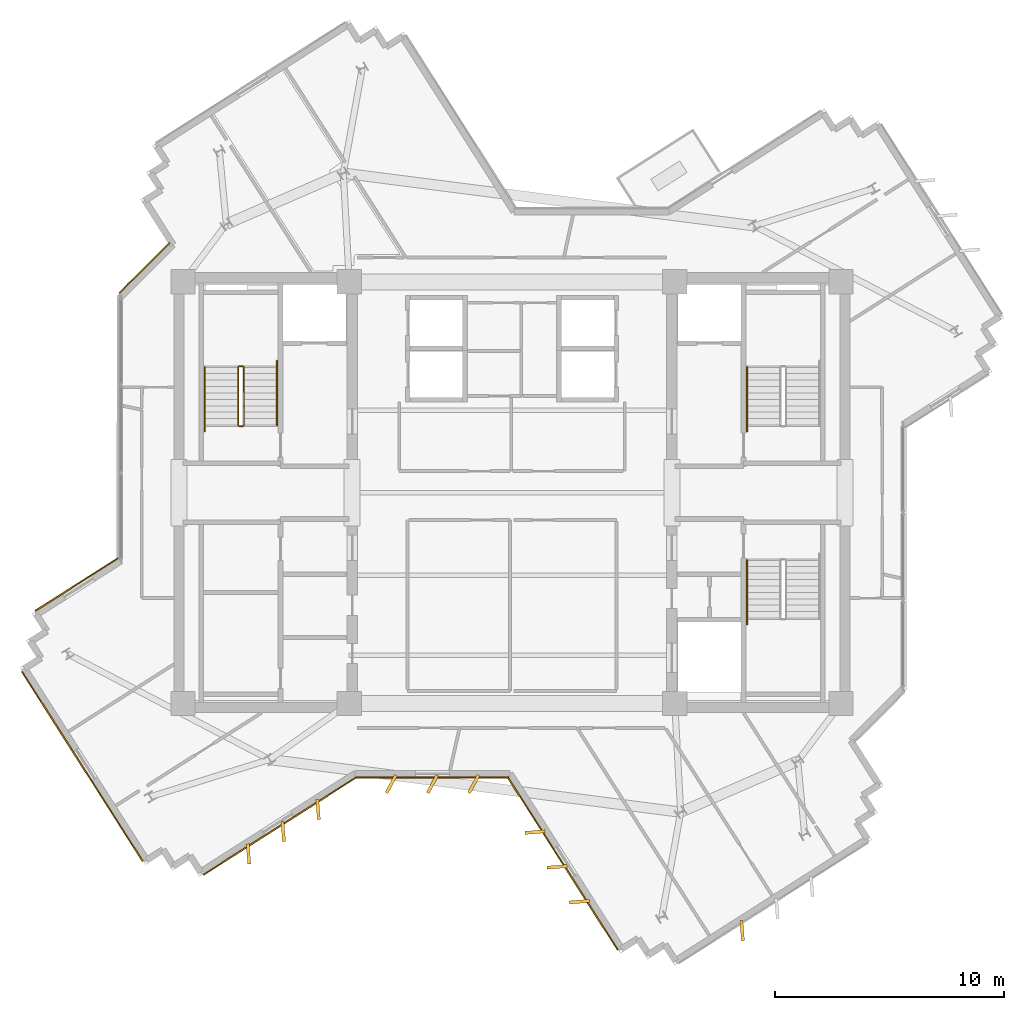
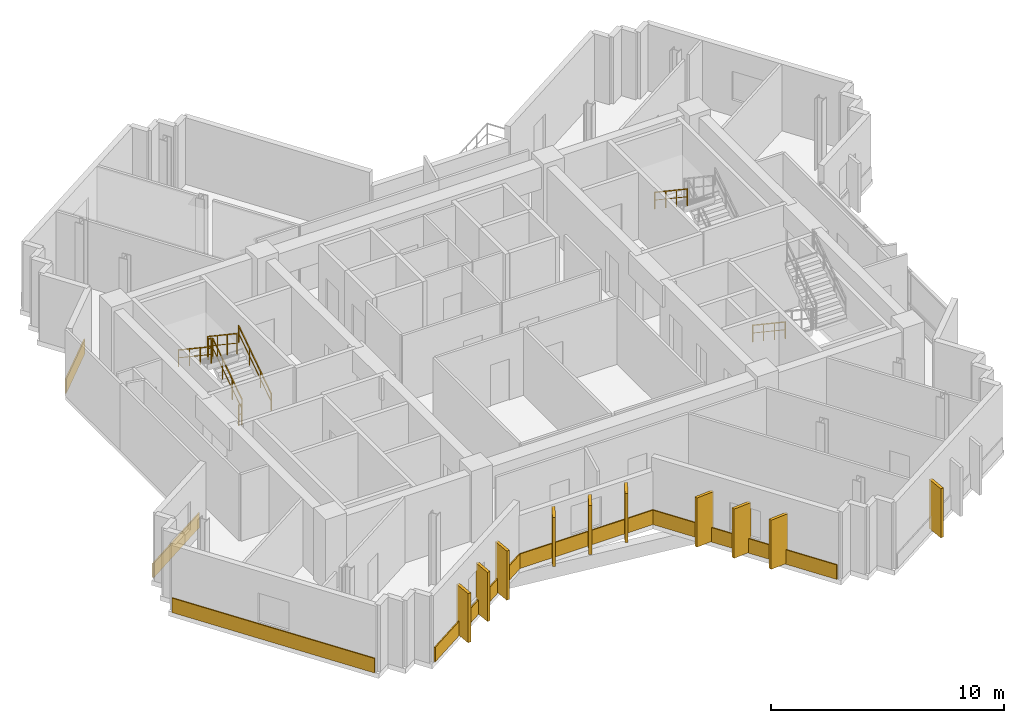
# One storey, part 10 of 12: 16 coverings, 8 railings.
"""IFC4 building model written with IfcOpenShell, lengths in metres."""

import ifcopenshell
import ifcopenshell.guid

model = None  # the IFC model being written
_history = None  # IfcOwnerHistory: only IFC2X3 demands one
_inside = {}  # id of a spatial element -> (the spatial element, [elements in it])
_under = {}  # id of a project, library or spatial element -> (it, [spatial elements below it])
_declared = {}  # id of a project -> (the project, [libraries it declares])
_typed = {}  # id of a type object -> (the type object, [elements of that type])
_made_of = {}  # id of a material, layer set ... -> (it, [elements and type objects made of it])


def new_model(schema):
    """Start an empty IFC model of exactly this schema.

    Asked for "IFC4X3", IfcOpenShell would pick the latest addendum, in which some entities
    have other attributes; the version numbers below select the first issue.
    IFC2X3 requires an IfcOwnerHistory on every rooted entity: one is made here for all.
    """
    global model, _history
    if schema == "IFC4X3":
        model = ifcopenshell.file(schema_version=(4, 3, 0, 0))
    else:
        model = ifcopenshell.file(schema=schema)
    _inside.clear()
    _under.clear()
    _declared.clear()
    _typed.clear()
    _made_of.clear()
    _history = None
    if model.schema == "IFC2X3":
        org = make("IfcOrganization", Name="unknown")
        user = make(
            "IfcPersonAndOrganization",
            ThePerson=make("IfcPerson", FamilyName="unknown"),
            TheOrganization=org,
        )
        app = make(
            "IfcApplication",
            ApplicationDeveloper=org,
            Version="unknown",
            ApplicationFullName="unknown",
            ApplicationIdentifier="unknown",
        )
        _history = make(
            "IfcOwnerHistory",
            OwningUser=user,
            OwningApplication=app,
            ChangeAction="ADDED",
            CreationDate=0,
        )
    return model


def make(cls, **values):
    """One entity of the class cls with the attributes given. An attribute that is None is left unset."""
    return model.create_entity(
        cls, **{name: value for name, value in values.items() if value is not None}
    )


def rooted(cls, **values):
    """An entity with a GlobalId (a new one), such as an element, a storey or a relation."""
    return make(cls, GlobalId=ifcopenshell.guid.new(), OwnerHistory=_history, **values)


def si_unit(unit_type, name, prefix=None):
    """IfcSIUnit, for example si_unit("LENGTHUNIT", "METRE", prefix="MILLI")."""
    return make("IfcSIUnit", UnitType=unit_type, Prefix=prefix, Name=name)


def assignment(units):
    """IfcUnitAssignment: the units of a project."""
    return None if units is None else make("IfcUnitAssignment", Units=units)


def point(xyz):
    """IfcCartesianPoint."""
    return None if xyz is None else make("IfcCartesianPoint", Coordinates=xyz)


def direction(xyz):
    """IfcDirection."""
    return None if xyz is None else make("IfcDirection", DirectionRatios=xyz)


def frame(location, z_axis=None, x_axis=None):
    """IfcAxis2Placement3D, a coordinate frame: its origin and axes. An axis left out is left unset."""
    return make(
        "IfcAxis2Placement3D",
        Location=point(location),
        Axis=direction(z_axis),
        RefDirection=direction(x_axis),
    )


def frame_2d(location, x_axis=None):
    """IfcAxis2Placement2D, a coordinate frame in the plane: its origin and x axis."""
    return make(
        "IfcAxis2Placement2D", Location=point(location), RefDirection=direction(x_axis)
    )


def origin():
    """The frame at (0, 0, 0) with its axes left unset."""
    return frame((0.0, 0.0, 0.0))


def origin_2d():
    """The frame at (0, 0) in the plane with its x axis left unset."""
    return frame_2d((0.0, 0.0))


def place(relative_to, where):
    """IfcLocalPlacement: puts the frame where relative to a parent placement (None: the world)."""
    return make(
        "IfcLocalPlacement", PlacementRelTo=relative_to, RelativePlacement=where
    )


def context(
    kind, dimensions, precision=None, world=None, true_north=None, identifier=None
):
    """IfcGeometricRepresentationContext, for example the 3D "Model" context."""
    return make(
        "IfcGeometricRepresentationContext",
        ContextIdentifier=identifier,
        ContextType=kind,
        CoordinateSpaceDimension=dimensions,
        Precision=precision,
        WorldCoordinateSystem=world,
        TrueNorth=true_north,
    )


def subcontext(parent, identifier, kind, view, scale=None):
    """IfcGeometricRepresentationSubContext, for example "Body" below "Model"."""
    return make(
        "IfcGeometricRepresentationSubContext",
        ContextIdentifier=identifier,
        ContextType=kind,
        ParentContext=parent,
        TargetScale=scale,
        TargetView=view,
    )


def project(units=None, contexts=None):
    """IfcProject with its units and contexts."""
    return rooted(
        "IfcProject",
        Name="project",
        RepresentationContexts=contexts,
        UnitsInContext=assignment(units),
    )


def spatial(cls, under=None, at=None, **own):
    """A site, building, storey or space (cls), placed at a placement, below another one or the project."""
    s = rooted(cls, ObjectPlacement=at, **own)
    if under is not None:
        _under.setdefault(under.id(), (under, []))[1].append(s)
    return s


def profile(cls, at=None, kind="AREA", **sizes):
    """A parametric profile (cls). Its sizes go by their IFC names, for example OverallWidth=200.0."""
    return make(cls, ProfileType=kind, Position=at, **sizes)


def rectangle(**sizes):
    """IfcRectangleProfileDef."""
    return profile("IfcRectangleProfileDef", **sizes)


def extrude(swept, where, along, depth):
    """IfcExtrudedAreaSolid: the profile swept, set in the frame where, extruded along a direction by depth."""
    return make(
        "IfcExtrudedAreaSolid",
        SweptArea=swept,
        Position=where,
        ExtrudedDirection=direction(along),
        Depth=depth,
    )


def shape(context_of_items, identifier, shape_type, items):
    """IfcShapeRepresentation: the items that make up one representation, for example the "Body"."""
    return make(
        "IfcShapeRepresentation",
        ContextOfItems=context_of_items,
        RepresentationIdentifier=identifier,
        RepresentationType=shape_type,
        Items=items,
    )


def source(mapping_origin, context_of_items, identifier, shape_type, items):
    """IfcRepresentationMap: a shape defined once, which mapped items show again and again."""
    return make(
        "IfcRepresentationMap",
        MappingOrigin=mapping_origin,
        MappedRepresentation=shape(context_of_items, identifier, shape_type, items),
    )


def transform(
    local_origin,
    x_axis=None,
    y_axis=None,
    z_axis=None,
    scale=None,
    scale2=None,
    scale3=None,
    uniform=True,
):
    """IfcCartesianTransformationOperator3D, or its non-uniform kind. x_axis, y_axis, z_axis: its Axis1, 2, 3."""
    if uniform:
        return make(
            "IfcCartesianTransformationOperator3D",
            Axis1=direction(x_axis),
            Axis2=direction(y_axis),
            LocalOrigin=point(local_origin),
            Scale=scale,
            Axis3=direction(z_axis),
        )
    return make(
        "IfcCartesianTransformationOperator3DnonUniform",
        Axis1=direction(x_axis),
        Axis2=direction(y_axis),
        LocalOrigin=point(local_origin),
        Scale=scale,
        Axis3=direction(z_axis),
        Scale2=scale2,
        Scale3=scale3,
    )


def mapped(mapping_source, mapping_target):
    """IfcMappedItem: shows the shape of a source again, moved by a transform."""
    return make(
        "IfcMappedItem", MappingSource=mapping_source, MappingTarget=mapping_target
    )


def material(Name=None, Category=None):
    """IfcMaterial."""
    return make("IfcMaterial", Name=Name, Category=Category)


def layer(
    of_material, thickness, ventilated=None, Name=None, Category=None, Priority=None
):
    """IfcMaterialLayer: one layer of a wall or slab, of a material (None: an air gap)."""
    return make(
        "IfcMaterialLayer",
        Material=of_material,
        LayerThickness=thickness,
        IsVentilated=ventilated,
        Name=Name,
        Category=Category,
        Priority=Priority,
    )


def layer_set(layers, Name=None):
    """IfcMaterialLayerSet."""
    return make("IfcMaterialLayerSet", MaterialLayers=layers, LayerSetName=Name)


def made_of(thing, what):
    """Note that an element or type object is made of a material, layer set ...; save() writes the relation."""
    if what is not None:
        _made_of.setdefault(what.id(), (what, []))[1].append(thing)
    return thing


def type_object(cls, material=None, **own):
    """A type object (cls), such as IfcWallType, which elements share."""
    return made_of(rooted(cls, **own), material)


def element(
    cls,
    number,
    at=None,
    inside=None,
    cuts=None,
    type_object=None,
    material=None,
    context=None,
    identifier="Body",
    shape_type=None,
    held_by="IfcProductDefinitionShape",
    body=None,
    shapes=None,
    **own,
):
    """One element of the class cls, such as IfcWall. Its Tag is "e" and its number.

    at: its placement. inside: the storey or other place that contains it. cuts: it is an
    opening in that element (IfcRelVoidsElement). A single representation is given by context,
    identifier, shape_type and body (its items); several are given by shapes. held_by: the class
    of the entity that holds the representations. save() writes the other relations.
    """
    e = rooted(cls, Tag="e%d" % number, ObjectPlacement=at, **own)
    if body is not None:
        shapes = [shape(context, identifier, shape_type, body)]
    if shapes is not None:
        e.Representation = make(held_by, Representations=shapes)
    if inside is not None:
        _inside.setdefault(inside.id(), (inside, []))[1].append(e)
    if cuts is not None:
        rooted(
            "IfcRelVoidsElement", RelatingBuildingElement=cuts, RelatedOpeningElement=e
        )
    if type_object is not None:
        _typed.setdefault(type_object.id(), (type_object, []))[1].append(e)
    return made_of(e, material)


def aggregate(whole, parts):
    """IfcRelAggregates: a whole, such as a stair, and the parts it consists of."""
    return rooted("IfcRelAggregates", RelatingObject=whole, RelatedObjects=parts)


def save(model, path):
    """Write the relations noted so far, then the file.

    IfcRelAggregates (storeys below a building ...), IfcRelContainedInSpatialStructure (elements
    in a storey), IfcRelDefinesByType, IfcRelAssociatesMaterial and IfcRelDeclares: one each for
    every whole, place, type object, material and project.
    """
    for whole, parts in _under.values():
        aggregate(whole, parts)
    for where, things in _inside.values():
        rooted(
            "IfcRelContainedInSpatialStructure",
            RelatedElements=things,
            RelatingStructure=where,
        )
    for kind, things in _typed.values():
        rooted("IfcRelDefinesByType", RelatedObjects=things, RelatingType=kind)
    for what, things in _made_of.values():
        rooted("IfcRelAssociatesMaterial", RelatedObjects=things, RelatingMaterial=what)
    for by, libraries in _declared.values():
        rooted("IfcRelDeclares", RelatingContext=by, RelatedDefinitions=libraries)
    model.write(path)


model = new_model("IFC4")

# Units and contexts
model_context = context("Model", 3, precision=1e-05, world=origin(), true_north=direction((0.0, 1.0)))
body_context = subcontext(model_context, "Body", "Model", "MODEL_VIEW")
ifc_project = project(units=[si_unit("LENGTHUNIT", "METRE"), si_unit("AREAUNIT", "SQUARE_METRE"), si_unit("VOLUMEUNIT", "CUBIC_METRE"), si_unit("PLANEANGLEUNIT", "RADIAN"), si_unit("MASSUNIT", "GRAM", prefix="KILO")], contexts=[model_context])

# Site, building, storey
site_placement = place(None, origin())
site = spatial("IfcSite", under=ifc_project, at=site_placement, CompositionType="ELEMENT")
building_placement = place(site_placement, origin())
building = spatial("IfcBuilding", under=site, at=building_placement, Name="Zahravan Cultural Tower", CompositionType="ELEMENT")
storey_placement = place(building_placement, frame((0.0, 0.0, 261.60009765625)))
storey = spatial("IfcBuildingStorey", under=building, at=storey_placement, Name="L62", CompositionType="ELEMENT", Elevation=261.60009765625)

# Railings
ifc_material_1 = material(Name="Steel ASTM A572 Grade 50", Category="steel")
railing_type_1 = type_object("IfcRailingType", Name="RL-STAIR-GRD1150", PredefinedType="BALUSTRADE", material=ifc_material_1)
railing_1_placement = place(storey_placement, frame((24.300048828125, 29.949951171875, 0.1875)))
element("IfcRailing", 1, at=railing_1_placement, inside=storey, type_object=railing_type_1, Name="L62 ST-W1 stair guard 1", PredefinedType="BALUSTRADE", context=body_context, shape_type="SweptSolid", body=[
    extrude(rectangle(XDim=0.05, YDim=0.05, at=origin_2d()), frame((0.0, 0.0, 1.0751953125), z_axis=(0.0, 0.830909170722, 0.55640807867), x_axis=(-1.0, 0.0, 0.0)), (0.0, 0.0, 1.0), 3.032958984375),
    extrude(rectangle(XDim=0.032, YDim=0.032, at=origin_2d()), frame((0.0, 0.0, 0.572021484375), z_axis=(0.0, 0.830909170722, 0.55640807867), x_axis=(-1.0, 0.0, 0.0)), (0.0, 0.0, 1.0), 3.032958984375),
    extrude(rectangle(XDim=0.04, YDim=0.04, at=origin_2d()), origin(), (0.0, 0.0, 1.0), 1.10009765625),
    extrude(rectangle(XDim=0.04, YDim=0.04, at=origin_2d()), frame((0.0, 0.840087890625, 0.5625)), (0.0, 0.0, 1.0), 1.10009765625),
    extrude(rectangle(XDim=0.04, YDim=0.04, at=origin_2d()), frame((0.0, 1.679931640625, 1.125)), (0.0, 0.0, 1.0), 1.10009765625),
    extrude(rectangle(XDim=0.04, YDim=0.04, at=origin_2d()), frame((0.0, 2.52001953125, 1.6875)), (0.0, 0.0, 1.0), 1.10009765625),
])
railing_2_placement = place(storey_placement, frame((24.25, 32.52001953125, 1.875)))
element("IfcRailing", 2, at=railing_2_placement, inside=storey, type_object=railing_type_1, Name="L62 ST-W1 stair guard 2", PredefinedType="BALUSTRADE", context=body_context, shape_type="SweptSolid", body=[
    extrude(rectangle(XDim=0.05, YDim=0.05, at=origin_2d()), frame((0.0, 0.0, 1.0751953125), z_axis=(-1.0, 0.0, 0.0), x_axis=(0.0, -1.0, 0.0)), (0.0, 0.0, 1.0), 0.14990234375),
    extrude(rectangle(XDim=0.032, YDim=0.032, at=origin_2d()), frame((0.0, 0.0, 0.572021484375), z_axis=(-1.0, 0.0, 0.0), x_axis=(0.0, -1.0, 0.0)), (0.0, 0.0, 1.0), 0.14990234375),
    extrude(rectangle(XDim=0.04, YDim=0.04, at=origin_2d()), origin(), (0.0, 0.0, 1.0), 1.10009765625),
    extrude(rectangle(XDim=0.04, YDim=0.04, at=origin_2d()), frame((-0.14990234375, 0.0, 0.0)), (0.0, 0.0, 1.0), 1.10009765625),
])
railing_3_placement = place(storey_placement, frame((24.050048828125, 32.469970703125, 2.0625)))
element("IfcRailing", 3, at=railing_3_placement, inside=storey, type_object=railing_type_1, Name="L62 ST-W1 stair guard 3", PredefinedType="BALUSTRADE", context=body_context, shape_type="SweptSolid", body=[
    extrude(rectangle(XDim=0.05, YDim=0.05, at=origin_2d()), frame((0.0, 0.0, 1.0751953125), z_axis=(0.0, -0.830909170722, 0.55640807867), x_axis=(1.0, 0.0, 0.0)), (0.0, 0.0, 1.0), 3.032958984375),
    extrude(rectangle(XDim=0.032, YDim=0.032, at=origin_2d()), frame((0.0, 0.0, 0.572021484375), z_axis=(0.0, -0.830909170722, 0.55640807867), x_axis=(1.0, 0.0, 0.0)), (0.0, 0.0, 1.0), 3.032958984375),
    extrude(rectangle(XDim=0.04, YDim=0.04, at=origin_2d()), origin(), (0.0, 0.0, 1.0), 1.10009765625),
    extrude(rectangle(XDim=0.04, YDim=0.04, at=origin_2d()), frame((0.0, -0.840087890625, 0.5625)), (0.0, 0.0, 1.0), 1.10009765625),
    extrude(rectangle(XDim=0.04, YDim=0.04, at=origin_2d()), frame((0.0, -1.679931640625, 1.125)), (0.0, 0.0, 1.0), 1.10009765625),
    extrude(rectangle(XDim=0.04, YDim=0.04, at=origin_2d()), frame((0.0, -2.52001953125, 1.6875)), (0.0, 0.0, 1.0), 1.10009765625),
])
railing_4_placement = place(storey_placement, frame((24.25, 29.89990234375, 0.0)))
element("IfcRailing", 4, at=railing_4_placement, inside=storey, type_object=railing_type_1, Name="L62 ST-W1 stair guard 4", PredefinedType="BALUSTRADE", context=body_context, shape_type="SweptSolid", body=[
    extrude(rectangle(XDim=0.05, YDim=0.05, at=origin_2d()), frame((0.0, 0.0, 1.0751953125), z_axis=(-1.0, 0.0, 0.0), x_axis=(0.0, -1.0, 0.0)), (0.0, 0.0, 1.0), 0.14990234375),
    extrude(rectangle(XDim=0.032, YDim=0.032, at=origin_2d()), frame((0.0, 0.0, 0.572021484375), z_axis=(-1.0, 0.0, 0.0), x_axis=(0.0, -1.0, 0.0)), (0.0, 0.0, 1.0), 0.14990234375),
    extrude(rectangle(XDim=0.04, YDim=0.04, at=origin_2d()), origin(), (0.0, 0.0, 1.0), 1.10009765625),
    extrude(rectangle(XDim=0.04, YDim=0.04, at=origin_2d()), frame((-0.14990234375, 0.0, 0.0)), (0.0, 0.0, 1.0), 1.10009765625),
])
railing_type_2 = type_object("IfcRailingType", Name="RL-STAIR-HR900", PredefinedType="HANDRAIL", material=ifc_material_1)
railing_5_placement = place(storey_placement, frame((25.75, 29.949951171875, 0.1875)))
element("IfcRailing", 5, at=railing_5_placement, inside=storey, type_object=railing_type_2, Name="L62 ST-W1 stair handrail 1", PredefinedType="HANDRAIL", context=body_context, shape_type="SweptSolid", body=[
    extrude(rectangle(XDim=0.05, YDim=0.05, at=origin_2d()), frame((0.0, 0.0, 0.875), z_axis=(0.0, 0.830911662861, 0.55640435703), x_axis=(-1.0, 0.0, 0.0)), (0.0, 0.0, 1.0), 3.369873046875),
    extrude(rectangle(XDim=0.032, YDim=0.032, at=origin_2d()), frame((0.0, 0.0, 0.468017578125), z_axis=(0.0, 0.830911662861, 0.55640435703), x_axis=(-1.0, 0.0, 0.0)), (0.0, 0.0, 1.0), 3.369873046875),
    extrude(rectangle(XDim=0.04, YDim=0.04, at=origin_2d()), origin(), (0.0, 0.0, 1.0), 0.89990234375),
    extrude(rectangle(XDim=0.04, YDim=0.04, at=origin_2d()), frame((0.0, 0.933349609375, 0.625)), (0.0, 0.0, 1.0), 0.89990234375),
    extrude(rectangle(XDim=0.04, YDim=0.04, at=origin_2d()), frame((0.0, 1.86669921875, 1.25)), (0.0, 0.0, 1.0), 0.89990234375),
    extrude(rectangle(XDim=0.04, YDim=0.04, at=origin_2d()), frame((0.0, 2.800048828125, 1.875)), (0.0, 0.0, 1.0), 0.89990234375),
])
for number, where, name in (
    (6, (22.60009765625, 32.469970703125, 2.0625), "L62 ST-W1 stair handrail 2"),
    (7, (46.25, 32.469970703125, 2.0625), "L62 ST-E1 stair handrail 2"),
    (8, (46.25, 24.050048828125, 0.1875), "L62 ST-E2 stair handrail 1"),
):
    element("IfcRailing", number, at=place(storey_placement, frame(where)), inside=storey, type_object=railing_type_2, Name=name, PredefinedType="HANDRAIL", context=body_context, shape_type="SweptSolid", body=[
        extrude(rectangle(XDim=0.05, YDim=0.05, at=origin_2d()), frame((0.0, 0.0, 0.875), z_axis=(0.0, -0.830911662861, 0.55640435703), x_axis=(1.0, 0.0, 0.0)), (0.0, 0.0, 1.0), 3.369873046875),
        extrude(rectangle(XDim=0.032, YDim=0.032, at=origin_2d()), frame((0.0, 0.0, 0.468017578125), z_axis=(0.0, -0.830911662861, 0.55640435703), x_axis=(1.0, 0.0, 0.0)), (0.0, 0.0, 1.0), 3.369873046875),
        extrude(rectangle(XDim=0.04, YDim=0.04, at=origin_2d()), origin(), (0.0, 0.0, 1.0), 0.89990234375),
        extrude(rectangle(XDim=0.04, YDim=0.04, at=origin_2d()), frame((0.0, -0.933349609375, 0.625)), (0.0, 0.0, 1.0), 0.89990234375),
        extrude(rectangle(XDim=0.04, YDim=0.04, at=origin_2d()), frame((0.0, -1.86669921875, 1.25)), (0.0, 0.0, 1.0), 0.89990234375),
        extrude(rectangle(XDim=0.04, YDim=0.04, at=origin_2d()), frame((0.0, -2.800048828125, 1.875)), (0.0, 0.0, 1.0), 0.89990234375),
    ])

# Coverings
ifc_material_2 = material(Name="Terracotta ceramic cladding", Category="masonry")
ifc_layer = layer(ifc_material_2, 0.06005859375)
ifc_layer_set = layer_set([ifc_layer], Name="Terracotta ceramic cladding")
covering_type = type_object("IfcCoveringType", Name="COV-CLAD-TC60", PredefinedType="CLADDING", material=ifc_layer_set)
shared_shape_1 = source(origin(), body_context, "Body", "SweptSolid", [
    extrude(rectangle(XDim=9.81982421875, YDim=0.06005859375, at=origin_2d()), origin(), (0.0, 0.0, 1.0), 0.760009765625),
])
covering_1_placement = place(storey_placement, frame((17.255615234375, 15.05859375, 0.02001953125), z_axis=(0.0, 0.0, 1.0), x_axis=(-0.537299608347, 0.843391445813, 0.0)))
element("IfcCovering", 9, at=covering_1_placement, inside=storey, type_object=covering_type, Name="L62 Terracotta Spandrel Cladding 30", PredefinedType="CLADDING", context=body_context, shape_type="MappedRepresentation", body=[
    mapped(shared_shape_1, transform((0.0, 0.0, 0.0), x_axis=(1.0, 0.0, 0.0), y_axis=(0.0, 1.0, 0.0), z_axis=(0.0, 0.0, 1.0), scale=1.0)),
])
shared_shape_2 = source(origin(), body_context, "Body", "SweptSolid", [
    extrude(rectangle(XDim=0.8798828125, YDim=0.139892578125, at=origin_2d()), origin(), (0.0, 0.0, 1.0), 2.580078125),
])
for number, where, z_axis, x_axis, name in (
    (10, (46.039306640625, 7.8916015625, 0.0498046875), (0.0, 0.0, 1.0), (0.078459095728, -0.996917333733, 0.0), "L62 Herringbone Terracotta Fin 07"),
    (11, (38.93701171875, 9.156982421875, 0.0498046875), (0.0, 0.0, 1.0), (-0.996917333733, -0.078459095728, 0.0), "L62 Herringbone Terracotta Fin 08"),
    (12, (37.969970703125, 10.675048828125, 0.0498046875), (0.0, 0.0, 1.0), (-0.996917333733, -0.078459095728, 0.0), "L62 Herringbone Terracotta Fin 09"),
    (13, (37.002685546875, 12.193115234375, 0.0498046875), (0.0, 0.0, 1.0), (-0.996917333733, -0.078459095728, 0.0), "L62 Herringbone Terracotta Fin 10"),
    (14, (34.33251953125, 14.2900390625, 0.0498046875), (0.0, 0.0, 1.0), (-0.469471562786, -0.882947592859, 0.0), "L62 Herringbone Terracotta Fin 11"),
    (15, (32.532470703125, 14.2900390625, 0.0498046875), (0.0, 0.0, 1.0), (-0.469471562786, -0.882947592859, 0.0), "L62 Herringbone Terracotta Fin 12"),
    (16, (30.732421875, 14.2900390625, 0.0498046875), (0.0, 0.0, 1.0), (-0.469471562786, -0.882947592859, 0.0), "L62 Herringbone Terracotta Fin 13"),
    (17, (27.538818359375, 13.179443359375, 0.0498046875), (0.0, 0.0, 1.0), (0.078459095728, -0.996917333733, 0.0), "L62 Herringbone Terracotta Fin 14"),
    (18, (26.020751953125, 12.21240234375, 0.0498046875), (0.0, 0.0, 1.0), (0.078459095728, -0.996917333733, 0.0), "L62 Herringbone Terracotta Fin 15"),
    (19, (24.502685546875, 11.2451171875, 0.0498046875), (0.0, 0.0, 1.0), (0.078459095728, -0.996917333733, 0.0), "L62 Herringbone Terracotta Fin 16"),
):
    element("IfcCovering", number, at=place(storey_placement, frame(where, z_axis=z_axis, x_axis=x_axis)), inside=storey, type_object=covering_type, Name=name, PredefinedType="CLADDING", context=body_context, shape_type="MappedRepresentation", body=[
        mapped(shared_shape_2, transform((0.0, 0.0, 0.0), x_axis=(1.0, 0.0, 0.0), y_axis=(0.0, 1.0, 0.0), z_axis=(0.0, 0.0, 1.0), scale=1.0)),
    ])
shared_shape_3 = source(origin(), body_context, "Body", "SweptSolid", [
    extrude(rectangle(XDim=7.896240234375, YDim=0.06005859375, at=origin_2d()), origin(), (0.0, 0.0, 1.0), 0.760009765625),
])
covering_2_placement = place(storey_placement, frame((25.86767578125, 12.45263671875, 0.02001953125), z_axis=(0.0, 0.0, 1.0), x_axis=(-0.843391445813, -0.537299608347, 0.0)))
element("IfcCovering", 20, at=covering_2_placement, inside=storey, type_object=covering_type, Name="L62 Terracotta Spandrel Cladding 25", PredefinedType="CLADDING", context=body_context, shape_type="MappedRepresentation", body=[
    mapped(shared_shape_3, transform((0.0, 0.0, 0.0), x_axis=(1.0, 0.0, 0.0), y_axis=(0.0, 1.0, 0.0), z_axis=(0.0, 0.0, 1.0), scale=1.0)),
])
shared_shape_4 = source(origin(), body_context, "Body", "SweptSolid", [
    extrude(rectangle(XDim=4.275146484375, YDim=0.06005859375, at=origin_2d()), origin(), (0.0, 0.0, 1.0), 0.760009765625),
])
covering_3_placement = place(storey_placement, frame((17.00634765625, 22.9921875, 0.02001953125), z_axis=(0.0, 0.0, 1.0), x_axis=(0.843382068037, 0.537314328223, 0.0)))
element("IfcCovering", 21, at=covering_3_placement, inside=storey, type_object=covering_type, Name="L62 Terracotta Spandrel Cladding 35", PredefinedType="CLADDING", context=body_context, shape_type="MappedRepresentation", body=[
    mapped(shared_shape_4, transform((0.0, 0.0, 0.0), x_axis=(1.0, 0.0, 0.0), y_axis=(0.0, 1.0, 0.0), z_axis=(0.0, 0.0, 1.0), scale=1.0)),
])
shared_shape_5 = source(origin(), body_context, "Body", "SweptSolid", [
    extrude(rectangle(XDim=3.114990234375, YDim=0.06005859375, at=origin_2d()), origin(), (0.0, 0.0, 1.0), 0.760009765625),
])
covering_4_placement = place(storey_placement, frame((19.9599609375, 36.79541015625, 0.02001953125), z_axis=(0.0, 0.0, 1.0), x_axis=(0.707094439737, 0.70711912242, 0.0)))
element("IfcCovering", 22, at=covering_4_placement, inside=storey, type_object=covering_type, Name="L62 Terracotta Spandrel Cladding 36", PredefinedType="CLADDING", context=body_context, shape_type="MappedRepresentation", body=[
    mapped(shared_shape_5, transform((0.0, 0.0, 0.0), x_axis=(1.0, 0.0, 0.0), y_axis=(0.0, 1.0, 0.0), z_axis=(0.0, 0.0, 1.0), scale=1.0)),
])
shared_shape_6 = source(origin(), body_context, "Body", "SweptSolid", [
    extrude(rectangle(XDim=8.96630859375, YDim=0.06005859375, at=origin_2d()), origin(), (0.0, 0.0, 1.0), 0.760009765625),
])
covering_5_placement = place(storey_placement, frame((38.210205078125, 10.828125, 0.02001953125), z_axis=(0.0, 0.0, 1.0), x_axis=(-0.537299608347, 0.843391445813, 0.0)))
element("IfcCovering", 23, at=covering_5_placement, inside=storey, type_object=covering_type, Name="L62 Terracotta Spandrel Cladding 23", PredefinedType="CLADDING", context=body_context, shape_type="MappedRepresentation", body=[
    mapped(shared_shape_6, transform((0.0, 0.0, 0.0), x_axis=(1.0, 0.0, 0.0), y_axis=(0.0, 1.0, 0.0), z_axis=(0.0, 0.0, 1.0), scale=1.0)),
])
shared_shape_7 = source(origin(), body_context, "Body", "SweptSolid", [
    extrude(rectangle(XDim=6.662841796875, YDim=0.06005859375, at=origin_2d()), origin(), (0.0, 0.0, 1.0), 0.760009765625),
])
covering_6_placement = place(storey_placement, frame((32.532470703125, 14.574951171875, 0.02001953125), z_axis=(0.0, 0.0, 1.0), x_axis=(-1.0, 0.0, 0.0)))
element("IfcCovering", 24, at=covering_6_placement, inside=storey, type_object=covering_type, Name="L62 Terracotta Spandrel Cladding 24", PredefinedType="CLADDING", context=body_context, shape_type="MappedRepresentation", body=[
    mapped(shared_shape_7, transform((0.0, 0.0, 0.0), x_axis=(1.0, 0.0, 0.0), y_axis=(0.0, 1.0, 0.0), z_axis=(0.0, 0.0, 1.0), scale=1.0)),
])

save(model, "model.ifc")
